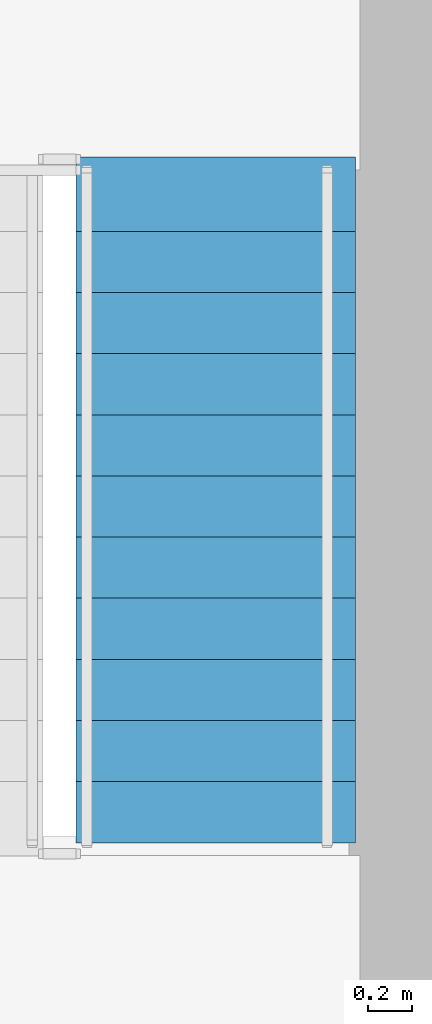
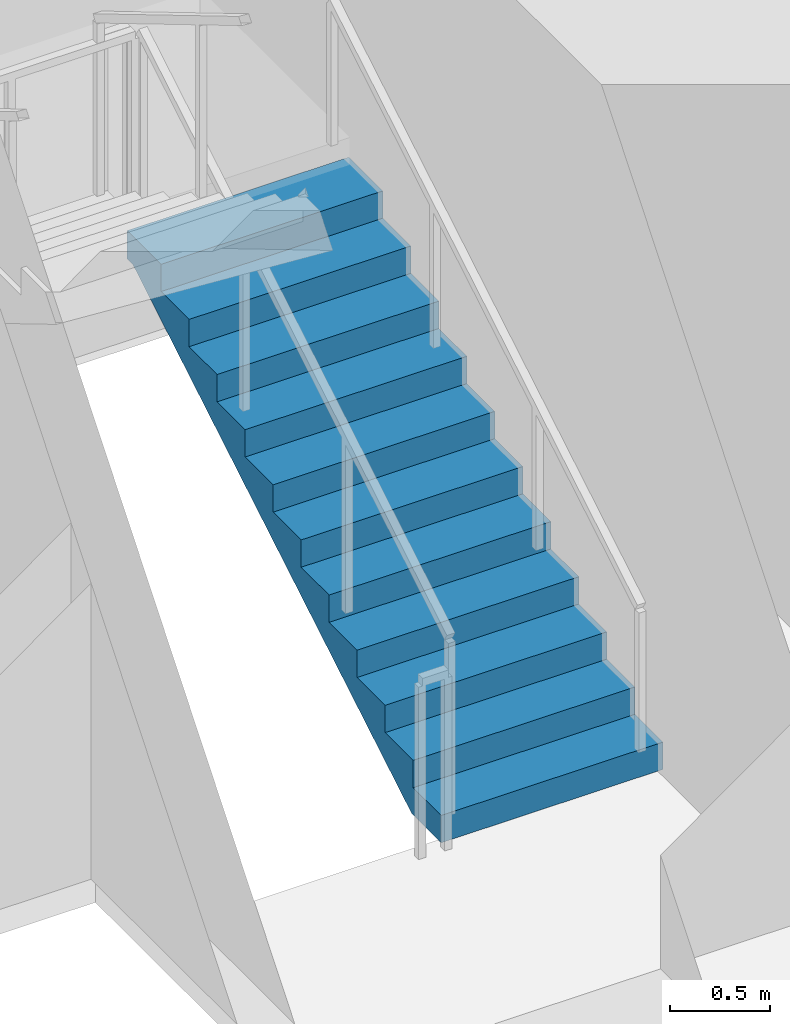
# One storey, part 11 of 17: 1 stair flight, 1 element without a shape of its own.
"""IFC4 building model written with IfcOpenShell, lengths in metres."""

from ifc_helpers import new_model, si_unit, direction, frame, origin, place, context, subcontext, project, spatial, polyline, outline, extrude, material, type_object, element, aggregate, save


model = new_model("IFC4")

# Units and contexts
model_context = context("Model", 3, precision=1e-05, world=origin(), true_north=direction((0.0, 1.0)))
body_context = subcontext(model_context, "Body", "Model", "MODEL_VIEW")
ifc_project = project(units=[si_unit("LENGTHUNIT", "METRE"), si_unit("AREAUNIT", "SQUARE_METRE"), si_unit("VOLUMEUNIT", "CUBIC_METRE"), si_unit("PLANEANGLEUNIT", "RADIAN"), si_unit("MASSUNIT", "GRAM", prefix="KILO")], contexts=[model_context])

# Site, building, storey
site_placement = place(None, origin())
site = spatial("IfcSite", under=ifc_project, at=site_placement, CompositionType="ELEMENT")
building_placement = place(site_placement, origin())
building = spatial("IfcBuilding", under=site, at=building_placement, Name="Sennacour Bend Tower", CompositionType="ELEMENT")
storey_placement = place(building_placement, frame((0.0, 0.0, 53.0)))
storey = spatial("IfcBuildingStorey", under=building, at=storey_placement, Name="L11", CompositionType="ELEMENT", Elevation=53.0)

# Stair, stair flight
ifc_material = material(Name="Concrete C40/50", Category="concrete")
stair_type = type_object("IfcStairType", Name="ST-DOGLEG", PredefinedType="HALF_TURN_STAIR", material=ifc_material)
stair_placement = place(storey_placement, origin())
stair = element("IfcStair", 1, at=stair_placement, inside=storey, type_object=stair_type, Name="L11 Exit stair B2", PredefinedType="HALF_TURN_STAIR")
stair_flight_type = type_object("IfcStairFlightType", Name="SFL-RC", PredefinedType="STRAIGHT", material=ifc_material)
stair_flight_placement = place(storey_placement, frame((20.68994140625, 38.699951171875, 0.0), z_axis=(0.0, 0.0, 1.0), x_axis=(0.0, 1.0, 0.0)))
stair_flight = element("IfcStairFlight", 2, at=stair_flight_placement, type_object=stair_flight_type, Name="SB2 flight 1", NumberOfRisers=12, NumberOfTreads=11, PredefinedType="STRAIGHT", RiserHeight=0.166666667, TreadLength=0.28, context=body_context, shape_type="SweptSolid", body=[
    extrude(outline(polyline([(0.0, 0.0), (0.0, 0.166748046875), (0.280029296875, 0.166748046875), (0.280029296875, 0.333251953125), (0.56005859375, 0.333251953125), (0.56005859375, 0.5), (0.840087890625, 0.5), (0.840087890625, 0.666748046875), (1.1201171875, 0.666748046875), (1.1201171875, 0.833251953125), (1.39990234375, 0.833251953125), (1.39990234375, 1.0), (1.679931640625, 1.0), (1.679931640625, 1.166748046875), (1.9599609375, 1.166748046875), (1.9599609375, 1.333251953125), (2.239990234375, 1.333251953125), (2.239990234375, 1.5), (2.52001953125, 1.5), (2.52001953125, 1.666748046875), (2.800048828125, 1.666748046875), (2.800048828125, 1.833251953125), (3.080078125, 1.833251953125), (3.139892578125, 1.833251953125), (3.139892578125, 1.658935546875), (3.080078125, 1.658935546875), (0.29296875, 0.0), (0.0, 0.0)])), frame((0.0, 0.64013671875, 0.0), z_axis=(0.0, -1.0, 0.0), x_axis=(1.0, 0.0, 0.0)), (0.0, 0.0, 1.0), 1.280029296875),
])
aggregate(stair, [stair_flight])

save(model, "model.ifc")
